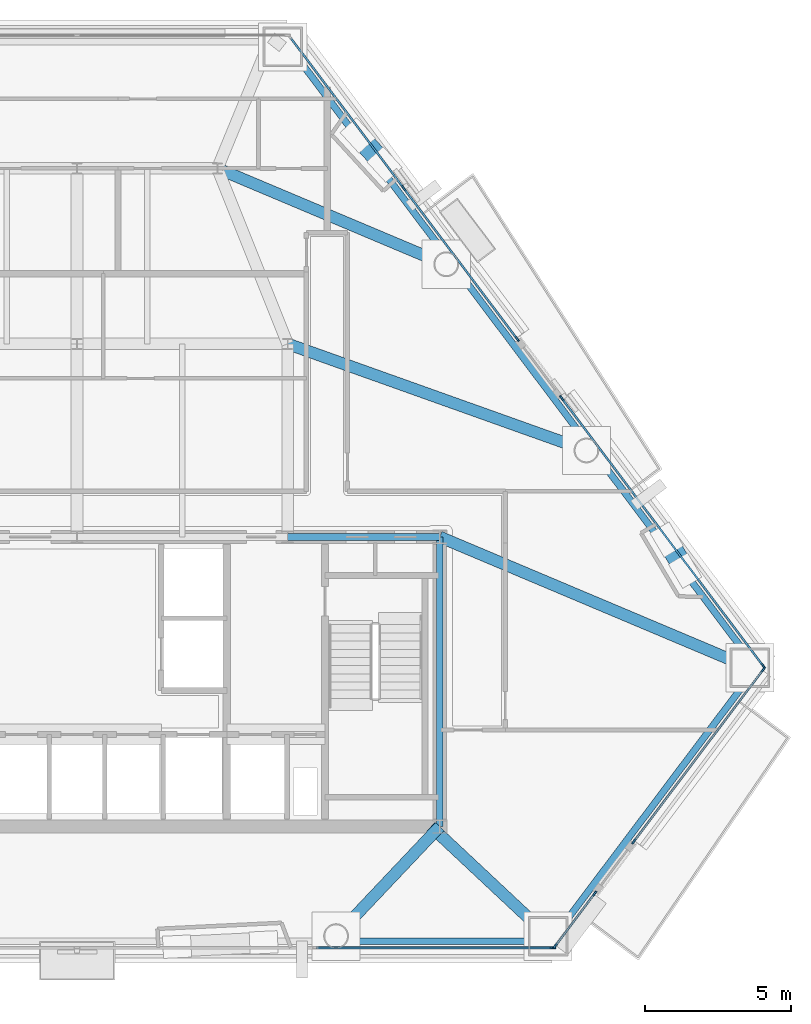
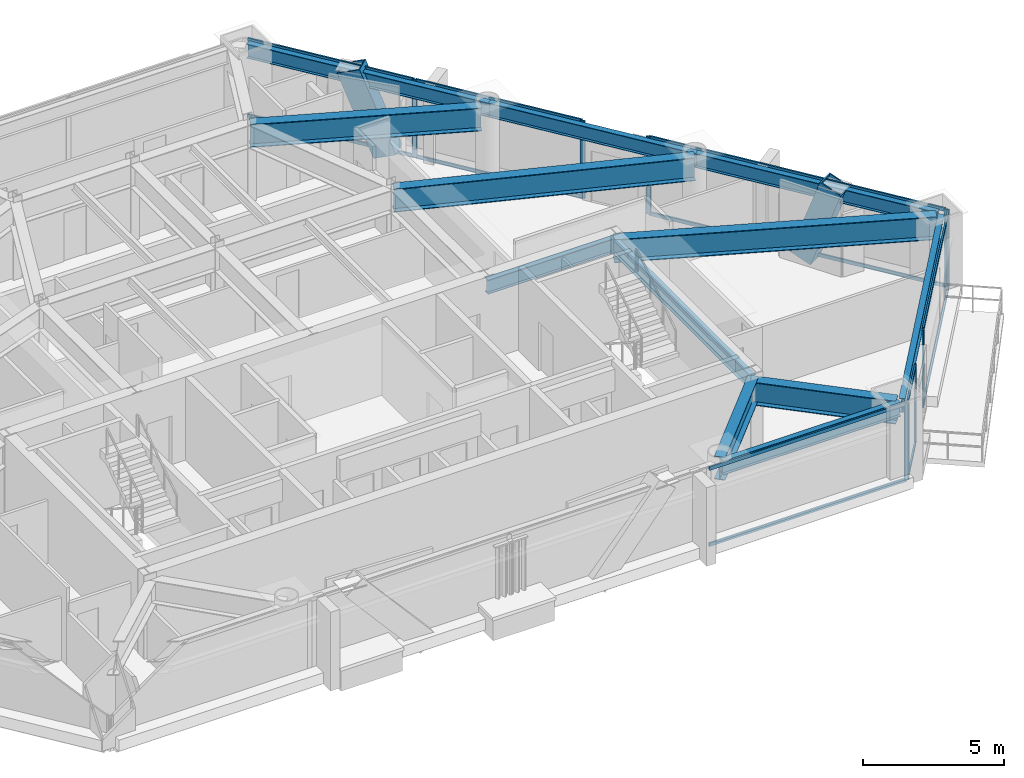
# One storey, part 4 of 11: 23 members, 12 beams, 5 elements without a shape of their own.
"""IFC4 building model written with IfcOpenShell, lengths in metres."""

import ifcopenshell
import ifcopenshell.guid

model = None  # the IFC model being written
_history = None  # IfcOwnerHistory: only IFC2X3 demands one
_inside = {}  # id of a spatial element -> (the spatial element, [elements in it])
_under = {}  # id of a project, library or spatial element -> (it, [spatial elements below it])
_declared = {}  # id of a project -> (the project, [libraries it declares])
_typed = {}  # id of a type object -> (the type object, [elements of that type])
_made_of = {}  # id of a material, layer set ... -> (it, [elements and type objects made of it])


def new_model(schema):
    """Start an empty IFC model of exactly this schema.

    Asked for "IFC4X3", IfcOpenShell would pick the latest addendum, in which some entities
    have other attributes; the version numbers below select the first issue.
    IFC2X3 requires an IfcOwnerHistory on every rooted entity: one is made here for all.
    """
    global model, _history
    if schema == "IFC4X3":
        model = ifcopenshell.file(schema_version=(4, 3, 0, 0))
    else:
        model = ifcopenshell.file(schema=schema)
    _inside.clear()
    _under.clear()
    _declared.clear()
    _typed.clear()
    _made_of.clear()
    _history = None
    if model.schema == "IFC2X3":
        org = make("IfcOrganization", Name="unknown")
        user = make(
            "IfcPersonAndOrganization",
            ThePerson=make("IfcPerson", FamilyName="unknown"),
            TheOrganization=org,
        )
        app = make(
            "IfcApplication",
            ApplicationDeveloper=org,
            Version="unknown",
            ApplicationFullName="unknown",
            ApplicationIdentifier="unknown",
        )
        _history = make(
            "IfcOwnerHistory",
            OwningUser=user,
            OwningApplication=app,
            ChangeAction="ADDED",
            CreationDate=0,
        )
    return model


def make(cls, **values):
    """One entity of the class cls with the attributes given. An attribute that is None is left unset."""
    return model.create_entity(
        cls, **{name: value for name, value in values.items() if value is not None}
    )


def rooted(cls, **values):
    """An entity with a GlobalId (a new one), such as an element, a storey or a relation."""
    return make(cls, GlobalId=ifcopenshell.guid.new(), OwnerHistory=_history, **values)


def si_unit(unit_type, name, prefix=None):
    """IfcSIUnit, for example si_unit("LENGTHUNIT", "METRE", prefix="MILLI")."""
    return make("IfcSIUnit", UnitType=unit_type, Prefix=prefix, Name=name)


def assignment(units):
    """IfcUnitAssignment: the units of a project."""
    return None if units is None else make("IfcUnitAssignment", Units=units)


def point(xyz):
    """IfcCartesianPoint."""
    return None if xyz is None else make("IfcCartesianPoint", Coordinates=xyz)


def direction(xyz):
    """IfcDirection."""
    return None if xyz is None else make("IfcDirection", DirectionRatios=xyz)


def frame(location, z_axis=None, x_axis=None):
    """IfcAxis2Placement3D, a coordinate frame: its origin and axes. An axis left out is left unset."""
    return make(
        "IfcAxis2Placement3D",
        Location=point(location),
        Axis=direction(z_axis),
        RefDirection=direction(x_axis),
    )


def frame_2d(location, x_axis=None):
    """IfcAxis2Placement2D, a coordinate frame in the plane: its origin and x axis."""
    return make(
        "IfcAxis2Placement2D", Location=point(location), RefDirection=direction(x_axis)
    )


def origin():
    """The frame at (0, 0, 0) with its axes left unset."""
    return frame((0.0, 0.0, 0.0))


def origin_2d():
    """The frame at (0, 0) in the plane with its x axis left unset."""
    return frame_2d((0.0, 0.0))


def place(relative_to, where):
    """IfcLocalPlacement: puts the frame where relative to a parent placement (None: the world)."""
    return make(
        "IfcLocalPlacement", PlacementRelTo=relative_to, RelativePlacement=where
    )


def context(
    kind, dimensions, precision=None, world=None, true_north=None, identifier=None
):
    """IfcGeometricRepresentationContext, for example the 3D "Model" context."""
    return make(
        "IfcGeometricRepresentationContext",
        ContextIdentifier=identifier,
        ContextType=kind,
        CoordinateSpaceDimension=dimensions,
        Precision=precision,
        WorldCoordinateSystem=world,
        TrueNorth=true_north,
    )


def subcontext(parent, identifier, kind, view, scale=None):
    """IfcGeometricRepresentationSubContext, for example "Body" below "Model"."""
    return make(
        "IfcGeometricRepresentationSubContext",
        ContextIdentifier=identifier,
        ContextType=kind,
        ParentContext=parent,
        TargetScale=scale,
        TargetView=view,
    )


def project(units=None, contexts=None):
    """IfcProject with its units and contexts."""
    return rooted(
        "IfcProject",
        Name="project",
        RepresentationContexts=contexts,
        UnitsInContext=assignment(units),
    )


def spatial(cls, under=None, at=None, **own):
    """A site, building, storey or space (cls), placed at a placement, below another one or the project."""
    s = rooted(cls, ObjectPlacement=at, **own)
    if under is not None:
        _under.setdefault(under.id(), (under, []))[1].append(s)
    return s


def profile(cls, at=None, kind="AREA", **sizes):
    """A parametric profile (cls). Its sizes go by their IFC names, for example OverallWidth=200.0."""
    return make(cls, ProfileType=kind, Position=at, **sizes)


def rectangle(**sizes):
    """IfcRectangleProfileDef."""
    return profile("IfcRectangleProfileDef", **sizes)


def hollow_rectangle(**sizes):
    """IfcRectangleHollowProfileDef."""
    return profile("IfcRectangleHollowProfileDef", **sizes)


def i_section(**sizes):
    """IfcIShapeProfileDef."""
    return profile("IfcIShapeProfileDef", **sizes)


def extrude(swept, where, along, depth):
    """IfcExtrudedAreaSolid: the profile swept, set in the frame where, extruded along a direction by depth."""
    return make(
        "IfcExtrudedAreaSolid",
        SweptArea=swept,
        Position=where,
        ExtrudedDirection=direction(along),
        Depth=depth,
    )


def shape(context_of_items, identifier, shape_type, items):
    """IfcShapeRepresentation: the items that make up one representation, for example the "Body"."""
    return make(
        "IfcShapeRepresentation",
        ContextOfItems=context_of_items,
        RepresentationIdentifier=identifier,
        RepresentationType=shape_type,
        Items=items,
    )


def material(Name=None, Category=None):
    """IfcMaterial."""
    return make("IfcMaterial", Name=Name, Category=Category)


def layer(
    of_material, thickness, ventilated=None, Name=None, Category=None, Priority=None
):
    """IfcMaterialLayer: one layer of a wall or slab, of a material (None: an air gap)."""
    return make(
        "IfcMaterialLayer",
        Material=of_material,
        LayerThickness=thickness,
        IsVentilated=ventilated,
        Name=Name,
        Category=Category,
        Priority=Priority,
    )


def layer_set(layers, Name=None):
    """IfcMaterialLayerSet."""
    return make("IfcMaterialLayerSet", MaterialLayers=layers, LayerSetName=Name)


def material_profile(
    of_material, cross_section, Name=None, Category=None, Priority=None
):
    """IfcMaterialProfile: a cross section and its material."""
    return make(
        "IfcMaterialProfile",
        Name=Name,
        Material=of_material,
        Profile=cross_section,
        Priority=Priority,
        Category=Category,
    )


def profile_set(profiles, Name=None, composite=None):
    """IfcMaterialProfileSet."""
    return make(
        "IfcMaterialProfileSet",
        Name=Name,
        MaterialProfiles=profiles,
        CompositeProfile=composite,
    )


def made_of(thing, what):
    """Note that an element or type object is made of a material, layer set ...; save() writes the relation."""
    if what is not None:
        _made_of.setdefault(what.id(), (what, []))[1].append(thing)
    return thing


def type_object(cls, material=None, **own):
    """A type object (cls), such as IfcWallType, which elements share."""
    return made_of(rooted(cls, **own), material)


def element(
    cls,
    number,
    at=None,
    inside=None,
    cuts=None,
    type_object=None,
    material=None,
    context=None,
    identifier="Body",
    shape_type=None,
    held_by="IfcProductDefinitionShape",
    body=None,
    shapes=None,
    **own,
):
    """One element of the class cls, such as IfcWall. Its Tag is "e" and its number.

    at: its placement. inside: the storey or other place that contains it. cuts: it is an
    opening in that element (IfcRelVoidsElement). A single representation is given by context,
    identifier, shape_type and body (its items); several are given by shapes. held_by: the class
    of the entity that holds the representations. save() writes the other relations.
    """
    e = rooted(cls, Tag="e%d" % number, ObjectPlacement=at, **own)
    if body is not None:
        shapes = [shape(context, identifier, shape_type, body)]
    if shapes is not None:
        e.Representation = make(held_by, Representations=shapes)
    if inside is not None:
        _inside.setdefault(inside.id(), (inside, []))[1].append(e)
    if cuts is not None:
        rooted(
            "IfcRelVoidsElement", RelatingBuildingElement=cuts, RelatedOpeningElement=e
        )
    if type_object is not None:
        _typed.setdefault(type_object.id(), (type_object, []))[1].append(e)
    return made_of(e, material)


def aggregate(whole, parts):
    """IfcRelAggregates: a whole, such as a stair, and the parts it consists of."""
    return rooted("IfcRelAggregates", RelatingObject=whole, RelatedObjects=parts)


def save(model, path):
    """Write the relations noted so far, then the file.

    IfcRelAggregates (storeys below a building ...), IfcRelContainedInSpatialStructure (elements
    in a storey), IfcRelDefinesByType, IfcRelAssociatesMaterial and IfcRelDeclares: one each for
    every whole, place, type object, material and project.
    """
    for whole, parts in _under.values():
        aggregate(whole, parts)
    for where, things in _inside.values():
        rooted(
            "IfcRelContainedInSpatialStructure",
            RelatedElements=things,
            RelatingStructure=where,
        )
    for kind, things in _typed.values():
        rooted("IfcRelDefinesByType", RelatedObjects=things, RelatingType=kind)
    for what, things in _made_of.values():
        rooted("IfcRelAssociatesMaterial", RelatedObjects=things, RelatingMaterial=what)
    for by, libraries in _declared.values():
        rooted("IfcRelDeclares", RelatingContext=by, RelatedDefinitions=libraries)
    model.write(path)


model = new_model("IFC4")

# Units and contexts
model_context = context("Model", 3, precision=1e-05, world=origin(), true_north=direction((0.0, 1.0)))
body_context = subcontext(model_context, "Body", "Model", "MODEL_VIEW")
ifc_project = project(units=[si_unit("LENGTHUNIT", "METRE"), si_unit("AREAUNIT", "SQUARE_METRE"), si_unit("VOLUMEUNIT", "CUBIC_METRE"), si_unit("PLANEANGLEUNIT", "RADIAN"), si_unit("MASSUNIT", "GRAM", prefix="KILO")], contexts=[model_context])

# Site, building, storey
site_placement = place(None, origin())
site = spatial("IfcSite", under=ifc_project, at=site_placement, CompositionType="ELEMENT")
building_placement = place(site_placement, origin())
building = spatial("IfcBuilding", under=site, at=building_placement, Name="Talgorran Terracotta Tower", CompositionType="ELEMENT")
storey_placement = place(building_placement, frame((0.0, 0.0, 79.199951171875)))
storey = spatial("IfcBuildingStorey", under=building, at=storey_placement, Name="L20", CompositionType="ELEMENT", Elevation=79.199951171875)

# Beams
ifc_material_1 = material(Name="Steel Grade 350 (350L0)", Category="steel")
ifc_material_profile_1 = material_profile(ifc_material_1, i_section(OverallWidth=0.39990234375, OverallDepth=1.0, WebThickness=0.01611328125, FlangeThickness=0.031005859375, at=origin_2d()), Name="1000WB296")
ifc_profile_set_1 = profile_set([ifc_material_profile_1], Name="Steel Grade 350 (350L0)")
beam_type_1 = type_object("IfcBeamType", Name="BM_1000WB296", PredefinedType="BEAM", material=ifc_profile_set_1)
beam_1_placement = place(storey_placement, frame((12.39990234375, -14.10009765625, 2.85009765625), z_axis=(-0.687137724954, -0.726527182523, 0.0), x_axis=(0.726527182523, -0.687137724954, 0.0)))
element("IfcBeam", 1, at=beam_1_placement, inside=storey, type_object=beam_type_1, Name="L20 South-East Core Tie Beam", PredefinedType="BEAM", context=body_context, shape_type="SweptSolid", body=[
    extrude(i_section(OverallWidth=0.39990234375, OverallDepth=1.0, WebThickness=0.01611328125, FlangeThickness=0.031005859375, at=origin_2d()), origin(), (0.0, 0.0, 1.0), 5.15673828125),
])
beam_2_placement = place(storey_placement, frame((16.1025390625, -17.8466796875, 2.85009765625), z_axis=(-0.730056378604, 0.683386921194, 0.0), x_axis=(-0.683386921194, -0.730056378604, 0.0)))
element("IfcBeam", 2, at=beam_2_placement, inside=storey, type_object=beam_type_1, Name="L20 Perimeter Step Girder 5", PredefinedType="BEAM", context=body_context, shape_type="SweptSolid", body=[
    extrude(i_section(OverallWidth=0.39990234375, OverallDepth=1.0, WebThickness=0.01611328125, FlangeThickness=0.031005859375, at=origin_2d()), origin(), (0.0, 0.0, 1.0), 5.482421875),
])
beam_3_placement = place(storey_placement, frame((7.199951171875, 2.39990234375, 2.85009765625), z_axis=(0.941876792617, -0.335958490783, 0.0), x_axis=(0.335958490783, 0.941876792617, 0.0)))
element("IfcBeam", 3, at=beam_3_placement, inside=storey, type_object=beam_type_1, Name="L20 Floor Girder G07", PredefinedType="BEAM", context=body_context, shape_type="SweptSolid", body=[
    extrude(i_section(OverallWidth=0.39990234375, OverallDepth=1.0, WebThickness=0.01611328125, FlangeThickness=0.031005859375, at=origin_2d()), origin(), (0.0, 0.0, 1.0), 10.845947265625),
])
beam_4_placement = place(storey_placement, frame((4.800048828125, 8.39990234375, 2.85009765625), z_axis=(0.921492221575, -0.388396814582, 0.0), x_axis=(0.388396814582, 0.921492221575, 0.0)))
element("IfcBeam", 4, at=beam_4_placement, inside=storey, type_object=beam_type_1, Name="L20 Floor Girder G14", PredefinedType="BEAM", context=body_context, shape_type="SweptSolid", body=[
    extrude(i_section(OverallWidth=0.39990234375, OverallDepth=1.0, WebThickness=0.01611328125, FlangeThickness=0.031005859375, at=origin_2d()), origin(), (0.0, 0.0, 1.0), 8.25390625),
])
beam_5_placement = place(storey_placement, frame((12.39990234375, -4.199951171875, 2.85009765625), z_axis=(0.921400833848, -0.388613565619, 0.0), x_axis=(0.388613565619, 0.921400833848, 0.0)))
element("IfcBeam", 5, at=beam_5_placement, inside=storey, type_object=beam_type_1, Name="L20 Floor Girder G18", PredefinedType="BEAM", context=body_context, shape_type="SweptSolid", body=[
    extrude(i_section(OverallWidth=0.39990234375, OverallDepth=1.0, WebThickness=0.01611328125, FlangeThickness=0.031005859375, at=origin_2d()), origin(), (0.0, 0.0, 1.0), 11.510009765625),
])
ifc_material_2 = material(Name="Steel S355 (300PLUS)", Category="steel")
ifc_material_profile_2 = material_profile(ifc_material_2, i_section(OverallWidth=0.22900390625, OverallDepth=0.611572265625, WebThickness=0.011962890625, FlangeThickness=0.01953125, at=origin_2d()), Name="610UB125")
ifc_profile_set_2 = profile_set([ifc_material_profile_2], Name="Steel S355 (300PLUS)")
beam_type_2 = type_object("IfcBeamType", Name="BM_SP_610UB125", PredefinedType="SPANDREL", material=ifc_profile_set_2)
beam_6_placement = place(storey_placement, frame((8.8564453125, -18.026611328125, 3.044189453125), z_axis=(1.0, 0.0, 0.0), x_axis=(0.0, 1.0, 0.0)))
element("IfcBeam", 6, at=beam_6_placement, inside=storey, type_object=beam_type_2, Name="L20 Perimeter Spandrel Beam FC2-MC3", PredefinedType="SPANDREL", context=body_context, shape_type="SweptSolid", body=[
    extrude(i_section(OverallWidth=0.22900390625, OverallDepth=0.611572265625, WebThickness=0.011962890625, FlangeThickness=0.01953125, at=origin_2d()), origin(), (0.0, 0.0, 1.0), 7.24609375),
])
beam_7_placement = place(storey_placement, frame((16.246337890625, -17.954833984375, 3.044189453125), z_axis=(0.601237780209, 0.799070166913, 0.0), x_axis=(-0.799070166913, 0.601237780209, 0.0)))
element("IfcBeam", 7, at=beam_7_placement, inside=storey, type_object=beam_type_2, Name="L20 Perimeter Spandrel Beam MC3-MC4", PredefinedType="SPANDREL", context=body_context, shape_type="SweptSolid", body=[
    extrude(i_section(OverallWidth=0.22900390625, OverallDepth=0.611572265625, WebThickness=0.011962890625, FlangeThickness=0.01953125, at=origin_2d()), origin(), (0.0, 0.0, 1.0), 11.480712890625),
])
beam_8_placement = place(storey_placement, frame((23.14892578125, -8.564697265625, 3.044189453125), z_axis=(-0.601217758064, 0.799085231617, 0.0), x_axis=(-0.799085231617, -0.601217758064, 0.0)))
element("IfcBeam", 8, at=beam_8_placement, inside=storey, type_object=beam_type_2, Name="L20 Perimeter Spandrel Beam MC4-FC3", PredefinedType="SPANDREL", context=body_context, shape_type="SweptSolid", body=[
    extrude(i_section(OverallWidth=0.22900390625, OverallDepth=0.611572265625, WebThickness=0.011962890625, FlangeThickness=0.01953125, at=origin_2d()), origin(), (0.0, 0.0, 1.0), 9.297119140625),
])
beam_9_placement = place(storey_placement, frame((17.559326171875, -1.135498046875, 3.044189453125), z_axis=(-0.601259066115, 0.799054150489, 0.0), x_axis=(-0.799054150489, -0.601259066115, 0.0)))
element("IfcBeam", 9, at=beam_9_placement, inside=storey, type_object=beam_type_2, Name="L20 Perimeter Spandrel Beam FC3-FC4", PredefinedType="SPANDREL", context=body_context, shape_type="SweptSolid", body=[
    extrude(i_section(OverallWidth=0.22900390625, OverallDepth=0.611572265625, WebThickness=0.011962890625, FlangeThickness=0.01953125, at=origin_2d()), origin(), (0.0, 0.0, 1.0), 7.96875),
])
beam_10_placement = place(storey_placement, frame((12.76806640625, 5.23193359375, 3.044189453125), z_axis=(-0.601247141496, 0.799063123191, 0.0), x_axis=(-0.799063123191, -0.601247141496, 0.0)))
element("IfcBeam", 10, at=beam_10_placement, inside=storey, type_object=beam_type_2, Name="L20 Perimeter Spandrel Beam FC4-MC5", PredefinedType="SPANDREL", context=body_context, shape_type="SweptSolid", body=[
    extrude(i_section(OverallWidth=0.22900390625, OverallDepth=0.611572265625, WebThickness=0.011962890625, FlangeThickness=0.01953125, at=origin_2d()), origin(), (0.0, 0.0, 1.0), 9.297119140625),
])
beam_11_placement = place(storey_placement, frame((12.39990234375, -14.10009765625, 3.044189453125), z_axis=(0.0, 1.0, 0.0), x_axis=(-1.0, 0.0, 0.0)))
element("IfcBeam", 11, at=beam_11_placement, inside=storey, type_object=beam_type_2, Name="L20 Core Frame Beam CFE", PredefinedType="SPANDREL", context=body_context, shape_type="SweptSolid", body=[
    extrude(i_section(OverallWidth=0.22900390625, OverallDepth=0.611572265625, WebThickness=0.011962890625, FlangeThickness=0.01953125, at=origin_2d()), origin(), (0.0, 0.0, 1.0), 9.900146484375),
])
beam_12_placement = place(storey_placement, frame((7.199951171875, -4.199951171875, 3.044189453125), z_axis=(1.0, 0.0, 0.0), x_axis=(0.0, 1.0, 0.0)))
element("IfcBeam", 12, at=beam_12_placement, inside=storey, type_object=beam_type_2, Name="L20 Core Frame Beam CFN4", PredefinedType="SPANDREL", context=body_context, shape_type="SweptSolid", body=[
    extrude(i_section(OverallWidth=0.22900390625, OverallDepth=0.611572265625, WebThickness=0.011962890625, FlangeThickness=0.01953125, at=origin_2d()), origin(), (0.0, 0.0, 1.0), 5.199951171875),
])

# Members
ifc_material_profile_3 = material_profile(ifc_material_1, hollow_rectangle(XDim=0.699951171875, YDim=0.89990234375, WallThickness=0.050048828125, at=origin_2d()), Name="WBOX900X700X50")
ifc_profile_set_3 = profile_set([ifc_material_profile_3], Name="Steel Grade 350 (350L0)")
member_type_1 = type_object("IfcMemberType", Name="MB_MEGA_900", PredefinedType="BRACE", material=ifc_profile_set_3)
member_1_placement = place(storey_placement, frame((20.15869140625, -4.291015625, -0.02490234375), z_axis=(0.174191744424, -0.29378406179, 0.939866033652), x_axis=(0.860166325629, 0.510013619676, 0.0)))
element("IfcMember", 13, at=member_1_placement, inside=storey, type_object=member_type_1, Name="L20 Exterior Face Mega-Brace MB-1 (NEL)", PredefinedType="BRACE", context=body_context, shape_type="SweptSolid", body=[
    extrude(hollow_rectangle(XDim=0.699951171875, YDim=0.89990234375, WallThickness=0.050048828125, at=origin_2d()), origin(), (0.0, 0.0, 1.0), 3.617431640625),
])
member_2_placement = place(storey_placement, frame((10.51123046875, 8.531005859375, -0.02490234375), z_axis=(-0.249698472251, 0.272252743662, 0.929262673588), x_axis=(-0.736974164765, -0.67592091288, 0.0)))
element("IfcMember", 14, at=member_2_placement, inside=storey, type_object=member_type_1, Name="L20 Exterior Face Mega-Brace MB-1 (NEU)", PredefinedType="BRACE", context=body_context, shape_type="SweptSolid", body=[
    extrude(hollow_rectangle(XDim=0.699951171875, YDim=0.89990234375, WallThickness=0.050048828125, at=origin_2d()), origin(), (0.0, 0.0, 1.0), 3.65869140625),
])

# Curtain wall, member
ifc_material_3 = material(Name="Unitised Low-E Double Glazing", Category="glass")
ifc_layer = layer(ifc_material_3, 0.199951171875, Name="CW_SYS2_RES_LOW")
ifc_layer_set = layer_set([ifc_layer], Name="Unitised Low-E Double Glazing")
curtain_wall_type = type_object("IfcCurtainWallType", Name="CW_SYS2_RES_LOW", PredefinedType="NOTDEFINED", material=ifc_layer_set)
curtain_wall_1_placement = place(storey_placement, origin())
curtain_wall_1 = element("IfcCurtainWall", 15, at=curtain_wall_1_placement, inside=storey, type_object=curtain_wall_type, Name="CW-L20-F1", PredefinedType="NOTDEFINED")
ifc_material_4 = material(Name="Architectural Aluminium 6063-T6", Category="aluminium")
ifc_material_profile_4 = material_profile(ifc_material_4, rectangle(XDim=0.06494140625, YDim=0.18505859375, at=origin_2d()), Name="CWM65X185")
ifc_profile_set_4 = profile_set([ifc_material_profile_4], Name="Architectural Aluminium 6063-T6")
member_type_2 = type_object("IfcMemberType", Name="MUL_65X185", PredefinedType="MULLION", material=ifc_profile_set_4)
member_3_placement = place(storey_placement, frame((16.26953125, -18.24658203125, 0.0), z_axis=(0.0, 0.0, 1.0), x_axis=(0.0, 1.0, 0.0)))
member_3 = element("IfcMember", 16, at=member_3_placement, type_object=member_type_2, Name="CW-L20-1 mullion 5", PredefinedType="MULLION", context=body_context, shape_type="SweptSolid", body=[
    extrude(rectangle(XDim=0.06494140625, YDim=0.18505859375, at=origin_2d()), origin(), (0.0, 0.0, 1.0), 3.35009765625),
])

# Curtain wall, members
curtain_wall_2_placement = place(storey_placement, origin())
curtain_wall_2 = element("IfcCurtainWall", 17, at=curtain_wall_2_placement, inside=storey, type_object=curtain_wall_type, Name="CW-L20-F30", PredefinedType="NOTDEFINED")
member_4_placement = place(storey_placement, frame((16.345703125, -18.188720703125, 0.0), z_axis=(0.0, 0.0, 1.0), x_axis=(-0.799054978585, 0.601257965601, 0.0)))
member_4 = element("IfcMember", 18, at=member_4_placement, type_object=member_type_2, Name="CW-L20-30 mullion 1", PredefinedType="MULLION", context=body_context, shape_type="SweptSolid", body=[
    extrude(rectangle(XDim=0.06494140625, YDim=0.18505859375, at=origin_2d()), origin(), (0.0, 0.0, 1.0), 3.35009765625),
])
member_5_placement = place(storey_placement, frame((17.697509765625, -16.39208984375, 0.0), z_axis=(0.0, 0.0, 1.0), x_axis=(-0.799054978585, 0.601257965601, 0.0)))
member_5 = element("IfcMember", 19, at=member_5_placement, type_object=member_type_2, Name="CW-L20-30 mullion 2", PredefinedType="MULLION", context=body_context, shape_type="SweptSolid", body=[
    extrude(rectangle(XDim=0.06494140625, YDim=0.18505859375, at=origin_2d()), origin(), (0.0, 0.0, 1.0), 3.35009765625),
])

curtain_wall_3_placement = place(storey_placement, origin())
curtain_wall_3 = element("IfcCurtainWall", 20, at=curtain_wall_3_placement, inside=storey, type_object=curtain_wall_type, Name="CW-L20-F31", PredefinedType="NOTDEFINED")
member_6_placement = place(storey_placement, frame((19.035400390625, -14.614013671875, 0.0), z_axis=(0.0, 0.0, 1.0), x_axis=(-0.799060391354, 0.601250772116, 0.0)))
member_6 = element("IfcMember", 21, at=member_6_placement, type_object=member_type_2, Name="CW-L20-31 mullion 1", PredefinedType="MULLION", context=body_context, shape_type="SweptSolid", body=[
    extrude(rectangle(XDim=0.06494140625, YDim=0.18505859375, at=origin_2d()), origin(), (0.0, 0.0, 1.0), 3.35009765625),
])
member_7_placement = place(storey_placement, frame((23.462158203125, -8.730712890625, 0.0), z_axis=(0.0, 0.0, 1.0), x_axis=(-0.799060391354, 0.601250772116, 0.0)))
member_7 = element("IfcMember", 22, at=member_7_placement, type_object=member_type_2, Name="CW-L20-31 mullion 2", PredefinedType="MULLION", context=body_context, shape_type="SweptSolid", body=[
    extrude(rectangle(XDim=0.06494140625, YDim=0.18505859375, at=origin_2d()), origin(), (0.0, 0.0, 1.0), 3.35009765625),
])

curtain_wall_4_placement = place(storey_placement, origin())
curtain_wall_4 = element("IfcCurtainWall", 23, at=curtain_wall_4_placement, inside=storey, type_object=curtain_wall_type, Name="CW-L20-F40", PredefinedType="NOTDEFINED")
member_8_placement = place(storey_placement, frame((23.462158203125, -8.61474609375, 0.0), z_axis=(0.0, 0.0, 1.0), x_axis=(-0.799064686689, -0.601245063586, 0.0)))
member_8 = element("IfcMember", 24, at=member_8_placement, type_object=member_type_2, Name="CW-L20-40 mullion 1", PredefinedType="MULLION", context=body_context, shape_type="SweptSolid", body=[
    extrude(rectangle(XDim=0.06494140625, YDim=0.18505859375, at=origin_2d()), origin(), (0.0, 0.0, 1.0), 3.35009765625),
])
member_9_placement = place(storey_placement, frame((16.567138671875, 0.549072265625, 0.0), z_axis=(0.0, 0.0, 1.0), x_axis=(-0.799064686689, -0.601245063586, 0.0)))
member_9 = element("IfcMember", 25, at=member_9_placement, type_object=member_type_2, Name="CW-L20-40 mullion 2", PredefinedType="MULLION", context=body_context, shape_type="SweptSolid", body=[
    extrude(rectangle(XDim=0.06494140625, YDim=0.18505859375, at=origin_2d()), origin(), (0.0, 0.0, 1.0), 3.35009765625),
])

curtain_wall_5_placement = place(storey_placement, origin())
curtain_wall_5 = element("IfcCurtainWall", 26, at=curtain_wall_5_placement, inside=storey, type_object=curtain_wall_type, Name="CW-L20-F41", PredefinedType="NOTDEFINED")
member_10_placement = place(storey_placement, frame((15.049072265625, 2.566650390625, 0.0), z_axis=(0.0, 0.0, 1.0), x_axis=(-0.799063254453, -0.601246967046, 0.0)))
member_10 = element("IfcMember", 27, at=member_10_placement, type_object=member_type_2, Name="CW-L20-41 mullion 1", PredefinedType="MULLION", context=body_context, shape_type="SweptSolid", body=[
    extrude(rectangle(XDim=0.06494140625, YDim=0.18505859375, at=origin_2d()), origin(), (0.0, 0.0, 1.0), 3.35009765625),
])
member_11_placement = place(storey_placement, frame((11.163330078125, 7.730712890625, 0.0), z_axis=(0.0, 0.0, 1.0), x_axis=(-0.799063254453, -0.601246967046, 0.0)))
member_11 = element("IfcMember", 28, at=member_11_placement, type_object=member_type_2, Name="CW-L20-41 mullion 2", PredefinedType="MULLION", context=body_context, shape_type="SweptSolid", body=[
    extrude(rectangle(XDim=0.06494140625, YDim=0.18505859375, at=origin_2d()), origin(), (0.0, 0.0, 1.0), 3.35009765625),
])

# Member
ifc_material_profile_5 = material_profile(ifc_material_4, rectangle(XDim=0.06494140625, YDim=0.14990234375, at=origin_2d()), Name="CWT65X150")
ifc_profile_set_5 = profile_set([ifc_material_profile_5], Name="Architectural Aluminium 6063-T6")
member_type_3 = type_object("IfcMemberType", Name="TRN_65X150", PredefinedType="USERDEFINED", material=ifc_profile_set_5)
member_12_placement = place(storey_placement, frame((8.18359375, -18.24658203125, 0.032470703125), z_axis=(1.0, 0.0, 0.0), x_axis=(0.0, 1.0, 0.0)))
member_12 = element("IfcMember", 29, at=member_12_placement, type_object=member_type_3, Name="CW-L20-1 transom 4.1", ObjectType="TRANSOM", PredefinedType="USERDEFINED", context=body_context, shape_type="SweptSolid", body=[
    extrude(rectangle(XDim=0.06494140625, YDim=0.14990234375, at=origin_2d()), origin(), (0.0, 0.0, 1.0), 8.053466796875),
])

member_13_placement = place(storey_placement, frame((8.18359375, -18.24658203125, 3.317626953125), z_axis=(1.0, 0.0, 0.0), x_axis=(0.0, 1.0, 0.0)))
member_13 = element("IfcMember", 30, at=member_13_placement, type_object=member_type_3, Name="CW-L20-1 transom 4.2", ObjectType="TRANSOM", PredefinedType="USERDEFINED", context=body_context, shape_type="SweptSolid", body=[
    extrude(rectangle(XDim=0.06494140625, YDim=0.14990234375, at=origin_2d()), origin(), (0.0, 0.0, 1.0), 8.053466796875),
])

aggregate(curtain_wall_1, [member_3, member_12, member_13])

member_14_placement = place(storey_placement, frame((16.365234375, -18.162841796875, 0.032470703125), z_axis=(0.60119792091, 0.799100156359, 0.0), x_axis=(-0.799100156359, 0.60119792091, 0.0)))
member_14 = element("IfcMember", 31, at=member_14_placement, type_object=member_type_3, Name="CW-L20-30 transom 1.1", ObjectType="TRANSOM", PredefinedType="USERDEFINED", context=body_context, shape_type="SweptSolid", body=[
    extrude(rectangle(XDim=0.06494140625, YDim=0.14990234375, at=origin_2d()), origin(), (0.0, 0.0, 1.0), 2.18359375),
])

member_15_placement = place(storey_placement, frame((16.365234375, -18.162841796875, 3.317626953125), z_axis=(0.60119792091, 0.799100156359, 0.0), x_axis=(-0.799100156359, 0.60119792091, 0.0)))
member_15 = element("IfcMember", 32, at=member_15_placement, type_object=member_type_3, Name="CW-L20-30 transom 1.2", ObjectType="TRANSOM", PredefinedType="USERDEFINED", context=body_context, shape_type="SweptSolid", body=[
    extrude(rectangle(XDim=0.06494140625, YDim=0.14990234375, at=origin_2d()), origin(), (0.0, 0.0, 1.0), 2.18359375),
])

aggregate(curtain_wall_2, [member_4, member_5, member_14, member_15])

member_16_placement = place(storey_placement, frame((19.054931640625, -14.588134765625, 0.032470703125), z_axis=(0.601246459162, 0.799063636606, 0.0), x_axis=(-0.799063636606, 0.601246459162, 0.0)))
member_16 = element("IfcMember", 33, at=member_16_placement, type_object=member_type_3, Name="CW-L20-31 transom 1.1", ObjectType="TRANSOM", PredefinedType="USERDEFINED", context=body_context, shape_type="SweptSolid", body=[
    extrude(rectangle(XDim=0.06494140625, YDim=0.14990234375, at=origin_2d()), origin(), (0.0, 0.0, 1.0), 7.297607421875),
])

member_17_placement = place(storey_placement, frame((19.054931640625, -14.588134765625, 3.317626953125), z_axis=(0.601246459162, 0.799063636606, 0.0), x_axis=(-0.799063636606, 0.601246459162, 0.0)))
member_17 = element("IfcMember", 34, at=member_17_placement, type_object=member_type_3, Name="CW-L20-31 transom 1.2", ObjectType="TRANSOM", PredefinedType="USERDEFINED", context=body_context, shape_type="SweptSolid", body=[
    extrude(rectangle(XDim=0.06494140625, YDim=0.14990234375, at=origin_2d()), origin(), (0.0, 0.0, 1.0), 7.297607421875),
])

aggregate(curtain_wall_3, [member_6, member_7, member_16, member_17])

member_18_placement = place(storey_placement, frame((23.442626953125, -8.5888671875, 0.032470703125), z_axis=(-0.601239354064, 0.799068982707, 0.0), x_axis=(-0.799068982707, -0.601239354064, 0.0)))
member_18 = element("IfcMember", 35, at=member_18_placement, type_object=member_type_3, Name="CW-L20-40 transom 1.1", ObjectType="TRANSOM", PredefinedType="USERDEFINED", context=body_context, shape_type="SweptSolid", body=[
    extrude(rectangle(XDim=0.06494140625, YDim=0.14990234375, at=origin_2d()), origin(), (0.0, 0.0, 1.0), 11.403076171875),
])

member_19_placement = place(storey_placement, frame((23.442626953125, -8.5888671875, 3.317626953125), z_axis=(-0.601239354064, 0.799068982707, 0.0), x_axis=(-0.799068982707, -0.601239354064, 0.0)))
member_19 = element("IfcMember", 36, at=member_19_placement, type_object=member_type_3, Name="CW-L20-40 transom 1.2", ObjectType="TRANSOM", PredefinedType="USERDEFINED", context=body_context, shape_type="SweptSolid", body=[
    extrude(rectangle(XDim=0.06494140625, YDim=0.14990234375, at=origin_2d()), origin(), (0.0, 0.0, 1.0), 11.403076171875),
])

aggregate(curtain_wall_4, [member_8, member_9, member_18, member_19])

member_20_placement = place(storey_placement, frame((15.029541015625, 2.592529296875, 0.032470703125), z_axis=(-0.601244806598, 0.799064880056, 0.0), x_axis=(-0.799064880056, -0.601244806598, 0.0)))
member_20 = element("IfcMember", 37, at=member_20_placement, type_object=member_type_3, Name="CW-L20-41 transom 1.1", ObjectType="TRANSOM", PredefinedType="USERDEFINED", context=body_context, shape_type="SweptSolid", body=[
    extrude(rectangle(XDim=0.06494140625, YDim=0.14990234375, at=origin_2d()), origin(), (0.0, 0.0, 1.0), 6.39794921875),
])

member_21_placement = place(storey_placement, frame((15.029541015625, 2.592529296875, 3.317626953125), z_axis=(-0.601244806598, 0.799064880056, 0.0), x_axis=(-0.799064880056, -0.601244806598, 0.0)))
member_21 = element("IfcMember", 38, at=member_21_placement, type_object=member_type_3, Name="CW-L20-41 transom 1.2", ObjectType="TRANSOM", PredefinedType="USERDEFINED", context=body_context, shape_type="SweptSolid", body=[
    extrude(rectangle(XDim=0.06494140625, YDim=0.14990234375, at=origin_2d()), origin(), (0.0, 0.0, 1.0), 6.39794921875),
])

member_22_placement = place(storey_placement, frame((11.143798828125, 7.7568359375, 0.032470703125), z_axis=(-0.601263140219, 0.799051084859, 0.0), x_axis=(-0.799051084859, -0.601263140219, 0.0)))
member_22 = element("IfcMember", 39, at=member_22_placement, type_object=member_type_3, Name="CW-L20-41 transom 2.1", ObjectType="TRANSOM", PredefinedType="USERDEFINED", context=body_context, shape_type="SweptSolid", body=[
    extrude(rectangle(XDim=0.06494140625, YDim=0.14990234375, at=origin_2d()), origin(), (0.0, 0.0, 1.0), 6.397705078125),
])

member_23_placement = place(storey_placement, frame((11.143798828125, 7.7568359375, 3.317626953125), z_axis=(-0.601263140219, 0.799051084859, 0.0), x_axis=(-0.799051084859, -0.601263140219, 0.0)))
member_23 = element("IfcMember", 40, at=member_23_placement, type_object=member_type_3, Name="CW-L20-41 transom 2.2", ObjectType="TRANSOM", PredefinedType="USERDEFINED", context=body_context, shape_type="SweptSolid", body=[
    extrude(rectangle(XDim=0.06494140625, YDim=0.14990234375, at=origin_2d()), origin(), (0.0, 0.0, 1.0), 6.397705078125),
])

aggregate(curtain_wall_5, [member_10, member_11, member_20, member_21, member_22, member_23])

save(model, "model.ifc")
